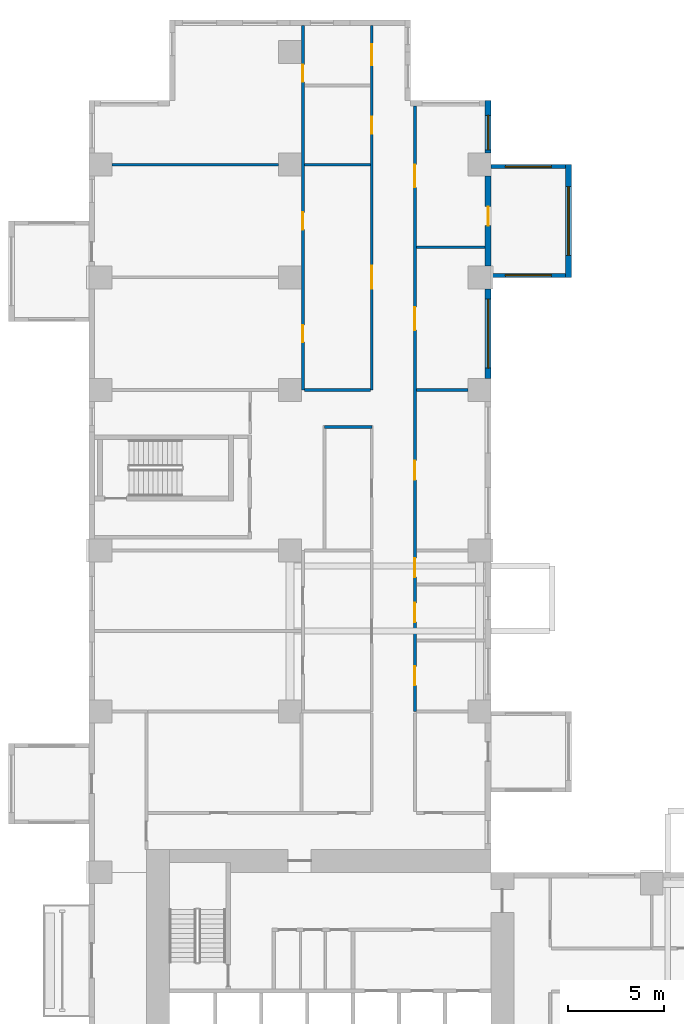
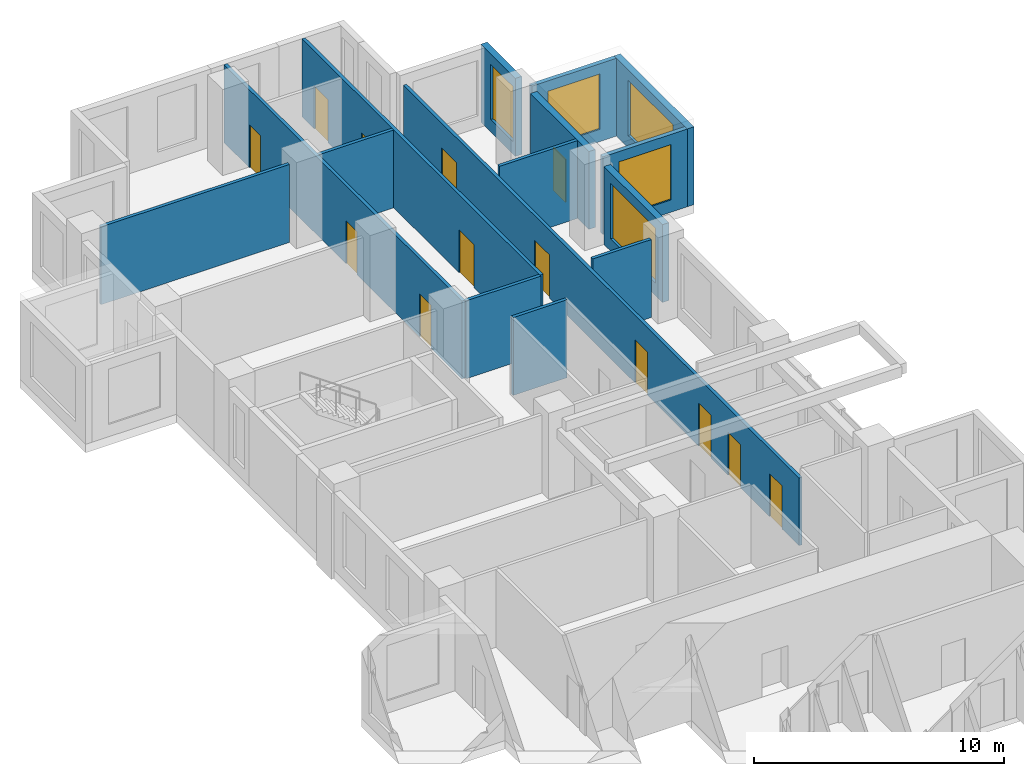
# One storey, part 8 of 15: 15 walls, 13 doors, 5 windows, 18 openings.
"""IFC4 building model written with IfcOpenShell, lengths in metres."""

from ifc_helpers import new_model, si_unit, direction, frame, frame_2d, origin, place, context, subcontext, project, spatial, rectangle, extrude, source, transform, mapped, material, layer, layer_set, type_object, element, fill, save


model = new_model("IFC4")

# Units and contexts
model_context = context("Model", 3, precision=1e-05, world=origin(), true_north=direction((0.0, 1.0)))
body_context = subcontext(model_context, "Body", "Model", "MODEL_VIEW")
ifc_project = project(units=[si_unit("LENGTHUNIT", "METRE"), si_unit("AREAUNIT", "SQUARE_METRE"), si_unit("VOLUMEUNIT", "CUBIC_METRE"), si_unit("PLANEANGLEUNIT", "RADIAN"), si_unit("MASSUNIT", "GRAM", prefix="KILO")], contexts=[model_context])

# Site, building, storey
site_placement = place(None, origin())
site = spatial("IfcSite", under=ifc_project, at=site_placement, CompositionType="ELEMENT")
building_placement = place(site_placement, origin())
building = spatial("IfcBuilding", under=site, at=building_placement, Name="Aurelian Terraces", CompositionType="ELEMENT")
storey_placement = place(building_placement, frame((0.0, 0.0, 61.5)))
storey = spatial("IfcBuildingStorey", under=building, at=storey_placement, Name="L12", CompositionType="ELEMENT", Elevation=61.5)

# Wall, opening, window
ifc_material_1 = material(Name="Terracotta rainscreen cladding", Category="masonry")
ifc_layer_1 = layer(ifc_material_1, 0.3)
ifc_layer_set_1 = layer_set([ifc_layer_1], Name="EW-300")
wall_type_1 = type_object("IfcWallType", Name="EW-300", PredefinedType="STANDARD", material=ifc_layer_set_1)
shared_shape_1 = source(origin(), body_context, "Body", "SweptSolid", [
    extrude(rectangle(XDim=4.68, YDim=0.3, at=frame_2d((2.34, 0.0))), origin(), (0.0, 0.0, 1.0), 3.8),
])
wall_1_placement = place(storey_placement, frame((20.85, 46.8, 0.0), z_axis=(0.0, 0.0, 1.0), x_axis=(0.0, 1.0, 0.0)))
wall_1 = element("IfcWall", 1, at=wall_1_placement, inside=storey, type_object=wall_type_1, Name="External wall L12 F08.27", PredefinedType="STANDARD", context=body_context, shape_type="MappedRepresentation", body=[
    mapped(shared_shape_1, transform((0.0, 0.0, 0.0), scale=1.0)),
])
shared_shape_2 = source(origin(), body_context, "Body", "SweptSolid", [
    extrude(rectangle(XDim=3.6, YDim=2.7, at=frame_2d((1.8, 1.35))), frame((0.0, 0.16, 0.0), z_axis=(0.0, -1.0, 0.0), x_axis=(1.0, 0.0, 0.0)), (0.0, 0.0, 1.0), 0.32),
])
opening_1_placement = place(wall_1_placement, frame((0.54, 0.0, 0.6)))
opening_1 = element("IfcOpeningElement", 2, at=opening_1_placement, cuts=wall_1, Name="Opening W3627", PredefinedType="OPENING", context=body_context, shape_type="MappedRepresentation", body=[
    mapped(shared_shape_2, transform((0.0, 0.0, 0.0), scale=1.0)),
])
ifc_material_2 = material(Name="Clear glazing", Category="glass")
window_type_1 = type_object("IfcWindowType", Name="W-3600x2700", PartitioningType="SINGLE_PANEL", PredefinedType="WINDOW", material=ifc_material_2)
shared_shape_3 = source(origin(), body_context, "Body", "SweptSolid", [
    extrude(rectangle(XDim=3.6, YDim=2.7, at=frame_2d((1.8, 1.35))), frame((0.0, 0.03, 0.0), z_axis=(0.0, -1.0, 0.0), x_axis=(1.0, 0.0, 0.0)), (0.0, 0.0, 1.0), 0.06),
])
window_1_placement = place(opening_1_placement, origin())
window_1 = element("IfcWindow", 3, at=window_1_placement, inside=storey, type_object=window_type_1, Name="Window L12 L12-F08-27-0", OverallHeight=2.7, OverallWidth=3.6, PartitioningType="SINGLE_PANEL", PredefinedType="WINDOW", context=body_context, shape_type="MappedRepresentation", body=[
    mapped(shared_shape_3, transform((0.0, 0.0, 0.0), scale=1.0)),
])
fill(opening_1, window_1)

# Wall, opening, door
wall_2_placement = place(storey_placement, frame((20.85, 52.68, 0.0), z_axis=(0.0, 0.0, 1.0), x_axis=(0.0, 1.0, 0.0)))
wall_2 = element("IfcWall", 4, at=wall_2_placement, inside=storey, type_object=wall_type_1, Name="External wall L12 F08.28", PredefinedType="STANDARD", context=body_context, shape_type="MappedRepresentation", body=[
    mapped(shared_shape_1, transform((0.0, 0.0, 0.0), scale=1.0)),
])
shared_shape_4 = source(origin(), body_context, "Body", "SweptSolid", [
    extrude(rectangle(XDim=1.0, YDim=2.1, at=frame_2d((0.5, 1.05))), frame((0.0, 0.16, 0.0), z_axis=(0.0, -1.0, 0.0), x_axis=(1.0, 0.0, 0.0)), (0.0, 0.0, 1.0), 0.32),
])
opening_2_placement = place(wall_2_placement, frame((2.0967, 0.0, 0.0)))
opening_2 = element("IfcOpeningElement", 5, at=opening_2_placement, cuts=wall_2, Name="Opening 812002", PredefinedType="OPENING", context=body_context, shape_type="MappedRepresentation", body=[
    mapped(shared_shape_4, transform((0.0, 0.0, 0.0), scale=1.0)),
])
ifc_material_3 = material(Name="Timber door leaf", Category="wood")
door_type_1 = type_object("IfcDoorType", Name="Room door 1000x2100 left", OperationType="SINGLE_SWING_LEFT", PredefinedType="DOOR", material=ifc_material_3)
shared_shape_5 = source(origin(), body_context, "Body", "SweptSolid", [
    extrude(rectangle(XDim=1.0, YDim=2.1, at=frame_2d((0.5, 1.05))), frame((0.0, 0.025, 0.0), z_axis=(0.0, -1.0, 0.0), x_axis=(1.0, 0.0, 0.0)), (0.0, 0.0, 1.0), 0.05),
])
door_1_placement = place(opening_2_placement, origin())
door_1 = element("IfcDoor", 6, at=door_1_placement, inside=storey, type_object=door_type_1, Name="Door 812002", OperationType="SINGLE_SWING_LEFT", OverallHeight=2.1, OverallWidth=1.0, PredefinedType="DOOR", context=body_context, shape_type="MappedRepresentation", body=[
    mapped(shared_shape_5, transform((0.0, 0.0, 0.0), scale=1.0)),
])
fill(opening_2, door_1)

# Wall, opening, window
shared_shape_6 = source(origin(), body_context, "Body", "SweptSolid", [
    extrude(rectangle(XDim=2.76, YDim=0.3, at=frame_2d((1.38, 0.0))), origin(), (0.0, 0.0, 1.0), 3.8),
])
wall_3_placement = place(storey_placement, frame((20.85, 58.56, 0.0), z_axis=(0.0, 0.0, 1.0), x_axis=(0.0, 1.0, 0.0)))
wall_3 = element("IfcWall", 7, at=wall_3_placement, inside=storey, type_object=wall_type_1, Name="External wall L12 F08.29", PredefinedType="STANDARD", context=body_context, shape_type="MappedRepresentation", body=[
    mapped(shared_shape_6, transform((0.0, 0.0, 0.0), scale=1.0)),
])
shared_shape_7 = source(origin(), body_context, "Body", "SweptSolid", [
    extrude(rectangle(XDim=1.8, YDim=2.7, at=frame_2d((0.9, 1.35))), frame((0.0, 0.16, 0.0), z_axis=(0.0, -1.0, 0.0), x_axis=(1.0, 0.0, 0.0)), (0.0, 0.0, 1.0), 0.32),
])
opening_3_placement = place(wall_3_placement, frame((0.18, 0.0, 0.6)))
opening_3 = element("IfcOpeningElement", 8, at=opening_3_placement, cuts=wall_3, Name="Opening W1827", PredefinedType="OPENING", context=body_context, shape_type="MappedRepresentation", body=[
    mapped(shared_shape_7, transform((0.0, 0.0, 0.0), scale=1.0)),
])
window_type_2 = type_object("IfcWindowType", Name="W-1800x2700", PartitioningType="SINGLE_PANEL", PredefinedType="WINDOW", material=ifc_material_2)
shared_shape_8 = source(origin(), body_context, "Body", "SweptSolid", [
    extrude(rectangle(XDim=1.8, YDim=2.7, at=frame_2d((0.9, 1.35))), frame((0.0, 0.03, 0.0), z_axis=(0.0, -1.0, 0.0), x_axis=(1.0, 0.0, 0.0)), (0.0, 0.0, 1.0), 0.06),
])
window_2_placement = place(opening_3_placement, origin())
window_2 = element("IfcWindow", 9, at=window_2_placement, inside=storey, type_object=window_type_2, Name="Window L12 L12-F08-29-0", OverallHeight=2.7, OverallWidth=1.8, PartitioningType="SINGLE_PANEL", PredefinedType="WINDOW", context=body_context, shape_type="MappedRepresentation", body=[
    mapped(shared_shape_8, transform((0.0, 0.0, 0.0), scale=1.0)),
])
fill(opening_3, window_2)

ifc_material_4 = material(Name="Concrete fc' 40 MPa", Category="concrete")
ifc_layer_2 = layer(ifc_material_4, 0.2)
ifc_layer_set_2 = layer_set([ifc_layer_2], Name="BOX BEARING WALL 200")
wall_type_2 = type_object("IfcWallType", Name="BOX BEARING WALL 200", PredefinedType="SOLIDWALL", material=ifc_layer_set_2)
shared_shape_9 = source(origin(), body_context, "Body", "SweptSolid", [
    extrude(rectangle(XDim=3.9, YDim=0.2, at=frame_2d((1.95, 0.0))), origin(), (0.0, 0.0, 1.0), 3.8),
])
wall_4_placement = place(storey_placement, frame((21.0, 52.18, 0.0), z_axis=(0.0, 0.0, 1.0), x_axis=(1.0, 0.0, 0.0)))
wall_4 = element("IfcWall", 10, at=wall_4_placement, inside=storey, type_object=wall_type_2, Name="Box return L12 J08.1", PredefinedType="SOLIDWALL", context=body_context, shape_type="MappedRepresentation", body=[
    mapped(shared_shape_9, transform((0.0, 0.0, 0.0), scale=1.0)),
])
shared_shape_10 = source(origin(), body_context, "Body", "SweptSolid", [
    extrude(rectangle(XDim=2.4, YDim=2.7, at=frame_2d((1.2, 1.35))), frame((0.0, 0.11, 0.0), z_axis=(0.0, -1.0, 0.0), x_axis=(1.0, 0.0, 0.0)), (0.0, 0.0, 1.0), 0.22),
])
opening_4_placement = place(wall_4_placement, frame((0.75, 0.0, 0.6)))
opening_4 = element("IfcOpeningElement", 11, at=opening_4_placement, cuts=wall_4, Name="Opening W2427", PredefinedType="OPENING", context=body_context, shape_type="MappedRepresentation", body=[
    mapped(shared_shape_10, transform((0.0, 0.0, 0.0), scale=1.0)),
])
window_type_3 = type_object("IfcWindowType", Name="W-2400x2700", PartitioningType="SINGLE_PANEL", PredefinedType="WINDOW", material=ifc_material_2)
shared_shape_11 = source(origin(), body_context, "Body", "SweptSolid", [
    extrude(rectangle(XDim=2.4, YDim=2.7, at=frame_2d((1.2, 1.35))), frame((0.0, 0.03, 0.0), z_axis=(0.0, -1.0, 0.0), x_axis=(1.0, 0.0, 0.0)), (0.0, 0.0, 1.0), 0.06),
])
window_3_placement = place(opening_4_placement, origin())
window_3 = element("IfcWindow", 12, at=window_3_placement, inside=storey, type_object=window_type_3, Name="Window L12 J08-S1", OverallHeight=2.7, OverallWidth=2.4, PartitioningType="SINGLE_PANEL", PredefinedType="WINDOW", context=body_context, shape_type="MappedRepresentation", body=[
    mapped(shared_shape_11, transform((0.0, 0.0, 0.0), scale=1.0)),
])
fill(opening_4, window_3)

wall_5_placement = place(storey_placement, frame((21.0, 57.86, 0.0), z_axis=(0.0, 0.0, 1.0), x_axis=(1.0, 0.0, 0.0)))
wall_5 = element("IfcWall", 13, at=wall_5_placement, inside=storey, type_object=wall_type_2, Name="Box return L12 J08.2", PredefinedType="SOLIDWALL", context=body_context, shape_type="MappedRepresentation", body=[
    mapped(shared_shape_9, transform((0.0, 0.0, 0.0), scale=1.0)),
])
opening_5_placement = place(wall_5_placement, frame((0.75, 0.0, 0.6)))
opening_5 = element("IfcOpeningElement", 14, at=opening_5_placement, cuts=wall_5, Name="Opening W2427", PredefinedType="OPENING", context=body_context, shape_type="MappedRepresentation", body=[
    mapped(shared_shape_10, transform((0.0, 0.0, 0.0), scale=1.0)),
])
window_4_placement = place(opening_5_placement, origin())
window_4 = element("IfcWindow", 15, at=window_4_placement, inside=storey, type_object=window_type_3, Name="Window L12 J08-S2", OverallHeight=2.7, OverallWidth=2.4, PartitioningType="SINGLE_PANEL", PredefinedType="WINDOW", context=body_context, shape_type="MappedRepresentation", body=[
    mapped(shared_shape_11, transform((0.0, 0.0, 0.0), scale=1.0)),
])
fill(opening_5, window_4)

ifc_layer_3 = layer(ifc_material_4, 0.3)
ifc_layer_set_3 = layer_set([ifc_layer_3], Name="BOX BEARING WALL 300")
wall_type_3 = type_object("IfcWallType", Name="BOX BEARING WALL 300", PredefinedType="SOLIDWALL", material=ifc_layer_set_3)
shared_shape_12 = source(origin(), body_context, "Body", "SweptSolid", [
    extrude(rectangle(XDim=5.88, YDim=0.3, at=frame_2d((2.94, 0.0))), origin(), (0.0, 0.0, 1.0), 3.8),
])
wall_6_placement = place(storey_placement, frame((25.05, 52.08, 0.0), z_axis=(0.0, 0.0, 1.0), x_axis=(0.0, 1.0, 0.0)))
wall_6 = element("IfcWall", 16, at=wall_6_placement, inside=storey, type_object=wall_type_3, Name="Box wall L12 J08", PredefinedType="SOLIDWALL", context=body_context, shape_type="MappedRepresentation", body=[
    mapped(shared_shape_12, transform((0.0, 0.0, 0.0), scale=1.0)),
])
opening_6_placement = place(wall_6_placement, frame((1.14, 0.0, 0.6)))
opening_6 = element("IfcOpeningElement", 17, at=opening_6_placement, cuts=wall_6, Name="Opening W3627", PredefinedType="OPENING", context=body_context, shape_type="MappedRepresentation", body=[
    mapped(shared_shape_2, transform((0.0, 0.0, 0.0), scale=1.0)),
])
window_5_placement = place(opening_6_placement, origin())
window_5 = element("IfcWindow", 18, at=window_5_placement, inside=storey, type_object=window_type_1, Name="Window L12 J08-F1", OverallHeight=2.7, OverallWidth=3.6, PartitioningType="SINGLE_PANEL", PredefinedType="WINDOW", context=body_context, shape_type="MappedRepresentation", body=[
    mapped(shared_shape_3, transform((0.0, 0.0, 0.0), scale=1.0)),
])
fill(opening_6, window_5)

# Walls
ifc_material_5 = material(Name="Gypsum board on steel studs", Category="steel")
ifc_layer_4 = layer(ifc_material_5, 0.15)
ifc_layer_set_4 = layer_set([ifc_layer_4], Name="Partition 150")
wall_type_4 = type_object("IfcWallType", Name="Partition 150", PredefinedType="PARTITIONING", material=ifc_layer_set_4)
shared_shape_13 = source(origin(), body_context, "Body", "SweptSolid", [
    extrude(rectangle(XDim=8.702, YDim=0.15, at=frame_2d((4.351, 0.0))), origin(), (0.0, 0.0, 1.0), 3.8),
])
wall_7_placement = place(storey_placement, frame((9.901, 57.96, 0.0), z_axis=(0.0, 0.0, 1.0), x_axis=(-1.0, 0.0, 0.0)))
element("IfcWall", 19, at=wall_7_placement, inside=storey, type_object=wall_type_4, Name="Partition", PredefinedType="PARTITIONING", context=body_context, shape_type="MappedRepresentation", body=[
    mapped(shared_shape_13, transform((0.0, 0.0, 0.0), scale=1.0)),
])
shared_shape_14 = source(origin(), body_context, "Body", "SweptSolid", [
    extrude(rectangle(XDim=3.6, YDim=0.15, at=frame_2d((1.8, 0.0))), origin(), (0.0, 0.0, 1.0), 3.8),
])
wall_8_placement = place(storey_placement, frame((17.1, 53.6475, 0.0), z_axis=(0.0, 0.0, 1.0), x_axis=(1.0, 0.0, 0.0)))
element("IfcWall", 20, at=wall_8_placement, inside=storey, type_object=wall_type_4, Name="Partition", PredefinedType="PARTITIONING", context=body_context, shape_type="MappedRepresentation", body=[
    mapped(shared_shape_14, transform((0.0, 0.0, 0.0), scale=1.0)),
])
shared_shape_15 = source(origin(), body_context, "Body", "SweptSolid", [
    extrude(rectangle(XDim=2.701, YDim=0.15, at=frame_2d((1.3505, 0.0))), origin(), (0.0, 0.0, 1.0), 3.8),
])
wall_9_placement = place(storey_placement, frame((19.801, 46.2, 0.0), z_axis=(0.0, 0.0, 1.0), x_axis=(-1.0, 0.0, 0.0)))
element("IfcWall", 21, at=wall_9_placement, inside=storey, type_object=wall_type_4, Name="Partition", PredefinedType="PARTITIONING", context=body_context, shape_type="MappedRepresentation", body=[
    mapped(shared_shape_15, transform((0.0, 0.0, 0.0), scale=1.0)),
])

# Wall, openings, doors
shared_shape_16 = source(origin(), body_context, "Body", "SweptSolid", [
    extrude(rectangle(XDim=19.02, YDim=0.15, at=frame_2d((9.51, 0.0))), origin(), (0.0, 0.0, 1.0), 3.8),
])
wall_10_placement = place(storey_placement, frame((11.175, 46.2, 0.0), z_axis=(0.0, 0.0, 1.0), x_axis=(0.0, 1.0, 0.0)))
wall_10 = element("IfcWall", 22, at=wall_10_placement, inside=storey, type_object=wall_type_4, Name="Partition", PredefinedType="PARTITIONING", context=body_context, shape_type="MappedRepresentation", body=[
    mapped(shared_shape_16, transform((0.0, 0.0, 0.0), scale=1.0)),
])
shared_shape_17 = source(origin(), body_context, "Body", "SweptSolid", [
    extrude(rectangle(XDim=0.9, YDim=2.1, at=frame_2d((0.45, 1.05))), frame((0.0, 0.085, 0.0), z_axis=(0.0, -1.0, 0.0), x_axis=(1.0, 0.0, 0.0)), (0.0, 0.0, 1.0), 0.17),
])
opening_7_placement = place(wall_10_placement, frame((2.4875, 0.0, 0.0)))
opening_7 = element("IfcOpeningElement", 23, at=opening_7_placement, cuts=wall_10, Name="Opening 712039", PredefinedType="OPENING", context=body_context, shape_type="MappedRepresentation", body=[
    mapped(shared_shape_17, transform((0.0, 0.0, 0.0), scale=1.0)),
])
opening_8_placement = place(wall_10_placement, frame((8.3675, 0.0, 0.0)))
opening_8 = element("IfcOpeningElement", 24, at=opening_8_placement, cuts=wall_10, Name="Opening 712040", PredefinedType="OPENING", context=body_context, shape_type="MappedRepresentation", body=[
    mapped(shared_shape_17, transform((0.0, 0.0, 0.0), scale=1.0)),
])
opening_9_placement = place(wall_10_placement, frame((16.0942, 0.0, 0.0)))
opening_9 = element("IfcOpeningElement", 25, at=opening_9_placement, cuts=wall_10, Name="Opening 712042", PredefinedType="OPENING", context=body_context, shape_type="MappedRepresentation", body=[
    mapped(shared_shape_17, transform((0.0, 0.0, 0.0), scale=1.0)),
])
door_type_2 = type_object("IfcDoorType", Name="Room door 900x2100 left", OperationType="SINGLE_SWING_LEFT", PredefinedType="DOOR", material=ifc_material_3)
shared_shape_18 = source(origin(), body_context, "Body", "SweptSolid", [
    extrude(rectangle(XDim=0.9, YDim=2.1, at=frame_2d((0.45, 1.05))), frame((0.0, 0.025, 0.0), z_axis=(0.0, -1.0, 0.0), x_axis=(1.0, 0.0, 0.0)), (0.0, 0.0, 1.0), 0.05),
])
door_2_placement = place(opening_7_placement, origin())
door_2 = element("IfcDoor", 26, at=door_2_placement, inside=storey, type_object=door_type_2, Name="Door 712039", OperationType="SINGLE_SWING_LEFT", OverallHeight=2.1, OverallWidth=0.9, PredefinedType="DOOR", context=body_context, shape_type="MappedRepresentation", body=[
    mapped(shared_shape_18, transform((0.0, 0.0, 0.0), scale=1.0)),
])
fill(opening_7, door_2)
door_type_3 = type_object("IfcDoorType", Name="Room door 900x2100 right", OperationType="SINGLE_SWING_RIGHT", PredefinedType="DOOR", material=ifc_material_3)
door_3_placement = place(opening_8_placement, origin())
door_3 = element("IfcDoor", 27, at=door_3_placement, inside=storey, type_object=door_type_3, Name="Door 712040", OperationType="SINGLE_SWING_RIGHT", OverallHeight=2.1, OverallWidth=0.9, PredefinedType="DOOR", context=body_context, shape_type="MappedRepresentation", body=[
    mapped(shared_shape_18, transform((0.0, 0.0, 0.0), scale=1.0)),
])
fill(opening_8, door_3)
door_4_placement = place(opening_9_placement, origin())
door_4 = element("IfcDoor", 28, at=door_4_placement, inside=storey, type_object=door_type_2, Name="Door 712042", OperationType="SINGLE_SWING_LEFT", OverallHeight=2.1, OverallWidth=0.9, PredefinedType="DOOR", context=body_context, shape_type="MappedRepresentation", body=[
    mapped(shared_shape_18, transform((0.0, 0.0, 0.0), scale=1.0)),
])
fill(opening_9, door_4)

ifc_layer_5 = layer(ifc_material_5, 0.15)
ifc_layer_set_5 = layer_set([ifc_layer_5], Name="Fire partition 150")
wall_type_5 = type_object("IfcWallType", Name="Fire partition 150", PredefinedType="PARTITIONING", material=ifc_layer_set_5)
wall_11_placement = place(storey_placement, frame((14.775, 46.2, 0.0), z_axis=(0.0, 0.0, 1.0), x_axis=(0.0, 1.0, 0.0)))
wall_11 = element("IfcWall", 29, at=wall_11_placement, inside=storey, type_object=wall_type_5, Name="Corridor wall", PredefinedType="PARTITIONING", context=body_context, shape_type="MappedRepresentation", body=[
    mapped(shared_shape_16, transform((0.0, 0.0, 0.0), scale=1.0)),
])
shared_shape_19 = source(origin(), body_context, "Body", "SweptSolid", [
    extrude(rectangle(XDim=1.2, YDim=2.1, at=frame_2d((0.6, 1.05))), frame((0.0, 0.085, 0.0), z_axis=(0.0, -1.0, 0.0), x_axis=(1.0, 0.0, 0.0)), (0.0, 0.0, 1.0), 0.17),
])
opening_10_placement = place(wall_11_placement, frame((5.28, 0.0, 0.0)))
opening_10 = element("IfcOpeningElement", 30, at=opening_10_placement, cuts=wall_11, Name="Opening 712038", PredefinedType="OPENING", context=body_context, shape_type="MappedRepresentation", body=[
    mapped(shared_shape_19, transform((0.0, 0.0, 0.0), scale=1.0)),
])
shared_shape_20 = source(origin(), body_context, "Body", "SweptSolid", [
    extrude(rectangle(XDim=1.1, YDim=2.1, at=frame_2d((0.55, 1.05))), frame((0.0, 0.085, 0.0), z_axis=(0.0, -1.0, 0.0), x_axis=(1.0, 0.0, 0.0)), (0.0, 0.0, 1.0), 0.17),
])
opening_11_placement = place(wall_11_placement, frame((16.9442, 0.0, 0.0)))
opening_11 = element("IfcOpeningElement", 31, at=opening_11_placement, cuts=wall_11, Name="Opening 712041", PredefinedType="OPENING", context=body_context, shape_type="MappedRepresentation", body=[
    mapped(shared_shape_20, transform((0.0, 0.0, 0.0), scale=1.0)),
])
opening_12_placement = place(wall_11_placement, frame((13.3767, 0.0, 0.0)))
opening_12 = element("IfcOpeningElement", 32, at=opening_12_placement, cuts=wall_11, Name="Opening 712043", PredefinedType="OPENING", context=body_context, shape_type="MappedRepresentation", body=[
    mapped(shared_shape_17, transform((0.0, 0.0, 0.0), scale=1.0)),
])
door_5_placement = place(opening_12_placement, origin())
door_5 = element("IfcDoor", 33, at=door_5_placement, inside=storey, type_object=door_type_3, Name="Door 712043", OperationType="SINGLE_SWING_RIGHT", OverallHeight=2.1, OverallWidth=0.9, PredefinedType="DOOR", context=body_context, shape_type="MappedRepresentation", body=[
    mapped(shared_shape_18, transform((0.0, 0.0, 0.0), scale=1.0)),
])
fill(opening_12, door_5)
door_type_4 = type_object("IfcDoorType", Name="Room door 1100x2100 right", OperationType="SINGLE_SWING_RIGHT", PredefinedType="DOOR", material=ifc_material_3)
shared_shape_21 = source(origin(), body_context, "Body", "SweptSolid", [
    extrude(rectangle(XDim=1.1, YDim=2.1, at=frame_2d((0.55, 1.05))), frame((0.0, 0.025, 0.0), z_axis=(0.0, -1.0, 0.0), x_axis=(1.0, 0.0, 0.0)), (0.0, 0.0, 1.0), 0.05),
])
door_6_placement = place(opening_11_placement, origin())
door_6 = element("IfcDoor", 34, at=door_6_placement, inside=storey, type_object=door_type_4, Name="Door 712041", OperationType="SINGLE_SWING_RIGHT", OverallHeight=2.1, OverallWidth=1.1, PredefinedType="DOOR", context=body_context, shape_type="MappedRepresentation", body=[
    mapped(shared_shape_21, transform((0.0, 0.0, 0.0), scale=1.0)),
])
fill(opening_11, door_6)
door_type_5 = type_object("IfcDoorType", Name="Room door 1200x2100 right", OperationType="SINGLE_SWING_RIGHT", PredefinedType="DOOR", material=ifc_material_3)
shared_shape_22 = source(origin(), body_context, "Body", "SweptSolid", [
    extrude(rectangle(XDim=1.2, YDim=2.1, at=frame_2d((0.6, 1.05))), frame((0.0, 0.025, 0.0), z_axis=(0.0, -1.0, 0.0), x_axis=(1.0, 0.0, 0.0)), (0.0, 0.0, 1.0), 0.05),
])
door_7_placement = place(opening_10_placement, origin())
door_7 = element("IfcDoor", 35, at=door_7_placement, inside=storey, type_object=door_type_5, Name="Door 712038", OperationType="SINGLE_SWING_RIGHT", OverallHeight=2.1, OverallWidth=1.2, PredefinedType="DOOR", context=body_context, shape_type="MappedRepresentation", body=[
    mapped(shared_shape_22, transform((0.0, 0.0, 0.0), scale=1.0)),
])
fill(opening_10, door_7)

shared_shape_23 = source(origin(), body_context, "Body", "SweptSolid", [
    extrude(rectangle(XDim=31.62, YDim=0.15, at=frame_2d((15.81, 0.0))), origin(), (0.0, 0.0, 1.0), 3.3),
])
wall_12_placement = place(storey_placement, frame((17.025, 61.02, 0.0), z_axis=(0.0, 0.0, 1.0), x_axis=(0.0, -1.0, 0.0)))
wall_12 = element("IfcWall", 36, at=wall_12_placement, inside=storey, type_object=wall_type_5, Name="Corridor wall", PredefinedType="PARTITIONING", context=body_context, shape_type="MappedRepresentation", body=[
    mapped(shared_shape_23, transform((0.0, 0.0, 0.0), scale=1.0)),
])
shared_shape_24 = source(origin(), body_context, "Body", "SweptSolid", [
    extrude(rectangle(XDim=1.0, YDim=2.1, at=frame_2d((0.5, 1.05))), frame((0.0, 0.085, 0.0), z_axis=(0.0, -1.0, 0.0), x_axis=(1.0, 0.0, 0.0)), (0.0, 0.0, 1.0), 0.17),
])
opening_13_placement = place(wall_12_placement, frame((29.2633, 0.0, 0.0)))
opening_13 = element("IfcOpeningElement", 37, at=opening_13_placement, cuts=wall_12, Name="Opening 712044", PredefinedType="OPENING", context=body_context, shape_type="MappedRepresentation", body=[
    mapped(shared_shape_24, transform((0.0, 0.0, 0.0), scale=1.0)),
])
opening_14_placement = place(wall_12_placement, frame((25.9514, 0.0, 0.0)))
opening_14 = element("IfcOpeningElement", 38, at=opening_14_placement, cuts=wall_12, Name="Opening 712045", PredefinedType="OPENING", context=body_context, shape_type="MappedRepresentation", body=[
    mapped(shared_shape_24, transform((0.0, 0.0, 0.0), scale=1.0)),
])
opening_15_placement = place(wall_12_placement, frame((23.608, 0.0, 0.0)))
opening_15 = element("IfcOpeningElement", 39, at=opening_15_placement, cuts=wall_12, Name="Opening 712046", PredefinedType="OPENING", context=body_context, shape_type="MappedRepresentation", body=[
    mapped(shared_shape_24, transform((0.0, 0.0, 0.0), scale=1.0)),
])
opening_16_placement = place(wall_12_placement, frame((18.52, 0.0, 0.0)))
opening_16 = element("IfcOpeningElement", 40, at=opening_16_placement, cuts=wall_12, Name="Opening 712047", PredefinedType="OPENING", context=body_context, shape_type="MappedRepresentation", body=[
    mapped(shared_shape_24, transform((0.0, 0.0, 0.0), scale=1.0)),
])
opening_17_placement = place(wall_12_placement, frame((10.4962, 0.0, 0.0)))
opening_17 = element("IfcOpeningElement", 41, at=opening_17_placement, cuts=wall_12, Name="Opening 712048", PredefinedType="OPENING", context=body_context, shape_type="MappedRepresentation", body=[
    mapped(shared_shape_19, transform((0.0, 0.0, 0.0), scale=1.0)),
])
opening_18_placement = place(wall_12_placement, frame((3.0488, 0.0, 0.0)))
opening_18 = element("IfcOpeningElement", 42, at=opening_18_placement, cuts=wall_12, Name="Opening 712049", PredefinedType="OPENING", context=body_context, shape_type="MappedRepresentation", body=[
    mapped(shared_shape_19, transform((0.0, 0.0, 0.0), scale=1.0)),
])
door_type_6 = type_object("IfcDoorType", Name="Room door 1000x2100 right", OperationType="SINGLE_SWING_RIGHT", PredefinedType="DOOR", material=ifc_material_3)
door_8_placement = place(opening_13_placement, origin())
door_8 = element("IfcDoor", 43, at=door_8_placement, inside=storey, type_object=door_type_6, Name="Door 712044", OperationType="SINGLE_SWING_RIGHT", OverallHeight=2.1, OverallWidth=1.0, PredefinedType="DOOR", context=body_context, shape_type="MappedRepresentation", body=[
    mapped(shared_shape_5, transform((0.0, 0.0, 0.0), scale=1.0)),
])
fill(opening_13, door_8)
door_9_placement = place(opening_14_placement, origin())
door_9 = element("IfcDoor", 44, at=door_9_placement, inside=storey, type_object=door_type_1, Name="Door 712045", OperationType="SINGLE_SWING_LEFT", OverallHeight=2.1, OverallWidth=1.0, PredefinedType="DOOR", context=body_context, shape_type="MappedRepresentation", body=[
    mapped(shared_shape_5, transform((0.0, 0.0, 0.0), scale=1.0)),
])
fill(opening_14, door_9)
door_10_placement = place(opening_15_placement, origin())
door_10 = element("IfcDoor", 45, at=door_10_placement, inside=storey, type_object=door_type_6, Name="Door 712046", OperationType="SINGLE_SWING_RIGHT", OverallHeight=2.1, OverallWidth=1.0, PredefinedType="DOOR", context=body_context, shape_type="MappedRepresentation", body=[
    mapped(shared_shape_5, transform((0.0, 0.0, 0.0), scale=1.0)),
])
fill(opening_15, door_10)
door_11_placement = place(opening_16_placement, origin())
door_11 = element("IfcDoor", 46, at=door_11_placement, inside=storey, type_object=door_type_6, Name="Door 712047", OperationType="SINGLE_SWING_RIGHT", OverallHeight=2.1, OverallWidth=1.0, PredefinedType="DOOR", context=body_context, shape_type="MappedRepresentation", body=[
    mapped(shared_shape_5, transform((0.0, 0.0, 0.0), scale=1.0)),
])
fill(opening_16, door_11)
door_12_placement = place(opening_17_placement, origin())
door_12 = element("IfcDoor", 47, at=door_12_placement, inside=storey, type_object=door_type_5, Name="Door 712048", OperationType="SINGLE_SWING_RIGHT", OverallHeight=2.1, OverallWidth=1.2, PredefinedType="DOOR", context=body_context, shape_type="MappedRepresentation", body=[
    mapped(shared_shape_22, transform((0.0, 0.0, 0.0), scale=1.0)),
])
fill(opening_17, door_12)
door_type_7 = type_object("IfcDoorType", Name="Room door 1200x2100 left", OperationType="SINGLE_SWING_LEFT", PredefinedType="DOOR", material=ifc_material_3)
door_13_placement = place(opening_18_placement, origin())
door_13 = element("IfcDoor", 48, at=door_13_placement, inside=storey, type_object=door_type_7, Name="Door 712049", OperationType="SINGLE_SWING_LEFT", OverallHeight=2.1, OverallWidth=1.2, PredefinedType="DOOR", context=body_context, shape_type="MappedRepresentation", body=[
    mapped(shared_shape_22, transform((0.0, 0.0, 0.0), scale=1.0)),
])
fill(opening_18, door_13)

# Walls
shared_shape_25 = source(origin(), body_context, "Body", "SweptSolid", [
    extrude(rectangle(XDim=3.45, YDim=0.15, at=frame_2d((1.725, 0.0))), origin(), (0.0, 0.0, 1.0), 3.8),
])
for number, where, z_axis, x_axis, name in (
    (49, (14.7, 46.2, 0.0), (0.0, 0.0, 1.0), (-1.0, 0.0, 0.0), "Partition"),
    (50, (14.7, 57.96, 0.0), (0.0, 0.0, 1.0), (-1.0, 0.0, 0.0), "Partition"),
):
    element("IfcWall", number, at=place(storey_placement, frame(where, z_axis=z_axis, x_axis=x_axis)), inside=storey, type_object=wall_type_4, Name=name, PredefinedType="PARTITIONING", context=body_context, shape_type="MappedRepresentation", body=[
        mapped(shared_shape_25, transform((0.0, 0.0, 0.0), scale=1.0)),
    ])
shared_shape_26 = source(origin(), body_context, "Body", "SweptSolid", [
    extrude(rectangle(XDim=2.475, YDim=0.15, at=frame_2d((1.2375, 0.0))), origin(), (0.0, 0.0, 1.0), 3.8),
])
wall_13_placement = place(storey_placement, frame((14.775, 44.25, 0.0), z_axis=(0.0, 0.0, 1.0), x_axis=(-1.0, 0.0, 0.0)))
element("IfcWall", 51, at=wall_13_placement, inside=storey, type_object=wall_type_4, Name="Partition", PredefinedType="PARTITIONING", context=body_context, shape_type="MappedRepresentation", body=[
    mapped(shared_shape_26, transform((0.0, 0.0, 0.0), scale=1.0)),
])

save(model, "model.ifc")
